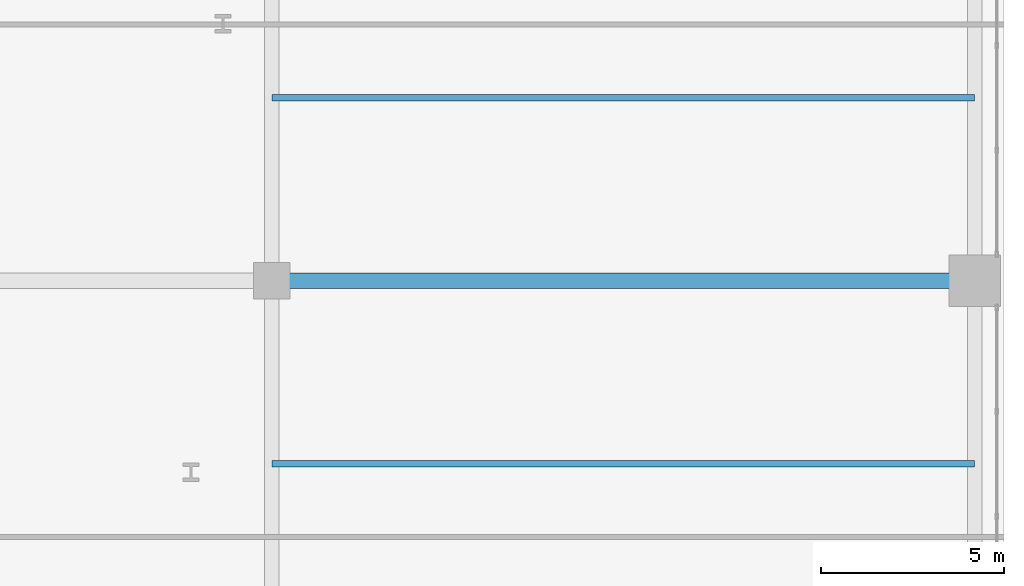
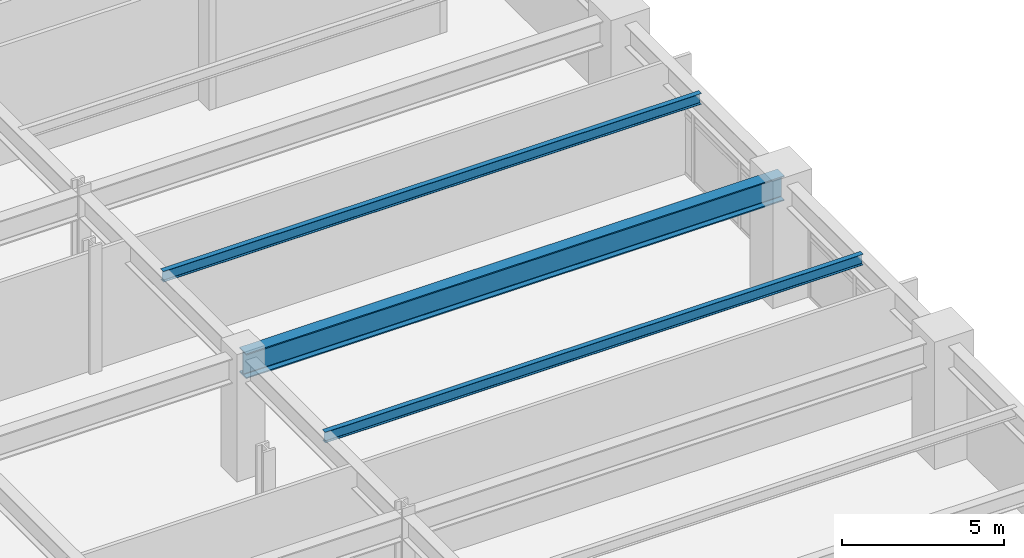
# One storey, part 14 of 28: 3 beams.
"""IFC4 building model written with IfcOpenShell, lengths in metres."""

from ifc_helpers import new_model, si_unit, direction, frame, origin, origin_2d, place, context, subcontext, project, spatial, i_section, extrude, material, material_profile, profile_set, type_object, element, save


model = new_model("IFC4")

# Units and contexts
model_context = context("Model", 3, precision=1e-05, world=origin(), true_north=direction((0.0, 1.0)))
body_context = subcontext(model_context, "Body", "Model", "MODEL_VIEW")
ifc_project = project(units=[si_unit("LENGTHUNIT", "METRE"), si_unit("AREAUNIT", "SQUARE_METRE"), si_unit("VOLUMEUNIT", "CUBIC_METRE"), si_unit("PLANEANGLEUNIT", "RADIAN"), si_unit("MASSUNIT", "GRAM", prefix="KILO")], contexts=[model_context])

# Site, building, storey
site_placement = place(None, origin())
site = spatial("IfcSite", under=ifc_project, at=site_placement, CompositionType="ELEMENT")
building_placement = place(site_placement, origin())
building = spatial("IfcBuilding", under=site, at=building_placement, Name="Soratama Intermodal Tower", CompositionType="ELEMENT")
storey_placement = place(building_placement, frame((0.0, 0.0, 11.39990234375)))
storey = spatial("IfcBuildingStorey", under=building, at=storey_placement, Name="L02", CompositionType="ELEMENT", Elevation=11.39990234375)

# Beams
ifc_material_1 = material(Name="Structural steel ASTM A992 Grade 50", Category="steel")
ifc_material_profile_1 = material_profile(ifc_material_1, i_section(OverallWidth=0.177978515625, OverallDepth=0.406982421875, WebThickness=0.0078125, FlangeThickness=0.0126953125, FilletRadius=0.010009765625, at=origin_2d()), Name="W16X40")
ifc_profile_set_1 = profile_set([ifc_material_profile_1], Name="Structural steel ASTM A992 Grade 50")
beam_type_1 = type_object("IfcBeamType", Name="BM-JST-W16X40", PredefinedType="JOIST", material=ifc_profile_set_1)
for number, where, z_axis, x_axis, name in (
    (1, (64.0, 20.0, 4.276611328125), (1.0, 0.0, 0.0), (0.0, 1.0, 0.0), "JST-L02-E2"),
    (2, (64.0, 30.0, 4.276611328125), (1.0, 0.0, 0.0), (0.0, 1.0, 0.0), "JST-L02-E3"),
):
    element("IfcBeam", number, at=place(storey_placement, frame(where, z_axis=z_axis, x_axis=x_axis)), inside=storey, type_object=beam_type_1, Name=name, PredefinedType="JOIST", context=body_context, shape_type="SweptSolid", body=[
        extrude(i_section(OverallWidth=0.177978515625, OverallDepth=0.406982421875, WebThickness=0.0078125, FlangeThickness=0.0126953125, FilletRadius=0.010009765625, at=origin_2d()), origin(), (0.0, 0.0, 1.0), 19.199951171875),
    ])
ifc_material_2 = material(Name="Structural steel ASTM A992 Grade 50", Category="steel")
ifc_material_profile_2 = material_profile(ifc_material_2, i_section(OverallWidth=0.423095703125, OverallDepth=0.93896484375, WebThickness=0.02392578125, FlangeThickness=0.042724609375, FilletRadius=0.02392578125, at=origin_2d()), Name="W36X302")
ifc_profile_set_2 = profile_set([ifc_material_profile_2], Name="Structural steel ASTM A992 Grade 50")
beam_type_2 = type_object("IfcBeamType", Name="BM-POD-W36X302", PredefinedType="BEAM", material=ifc_profile_set_2)
beam_placement = place(storey_placement, frame((64.0, 25.0, 4.010498046875), z_axis=(1.0, 0.0, 0.0), x_axis=(0.0, 1.0, 0.0)))
element("IfcBeam", 3, at=beam_placement, inside=storey, type_object=beam_type_2, Name="L02 Station Girder X3-3", PredefinedType="BEAM", context=body_context, shape_type="SweptSolid", body=[
    extrude(i_section(OverallWidth=0.423095703125, OverallDepth=0.93896484375, WebThickness=0.02392578125, FlangeThickness=0.042724609375, FilletRadius=0.02392578125, at=origin_2d()), origin(), (0.0, 0.0, 1.0), 19.199951171875),
])

save(model, "model.ifc")
